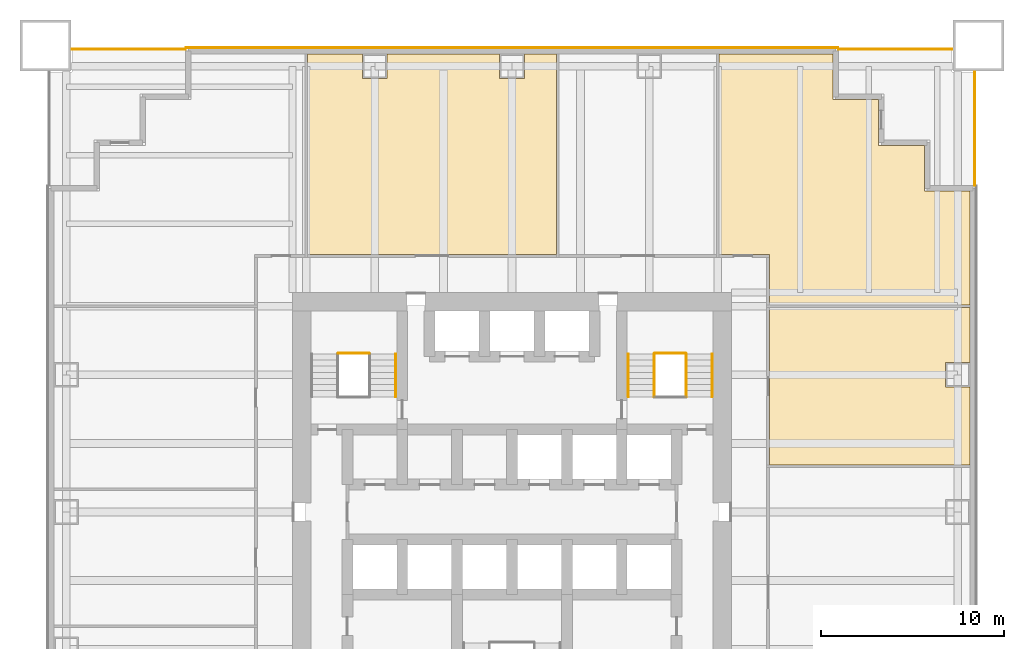
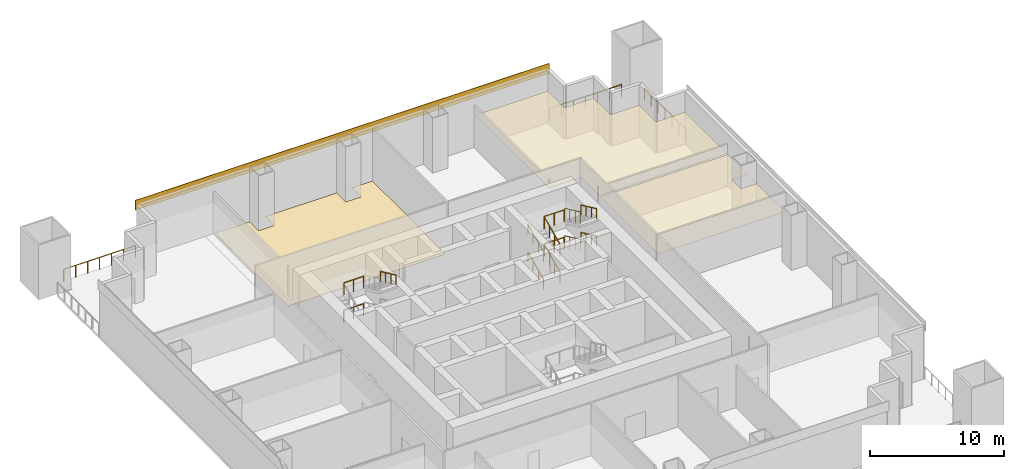
# One storey, part 6 of 6: 16 railings, 4 coverings.
"""IFC4 building model written with IfcOpenShell, lengths in metres."""

from ifc_helpers import new_model, si_unit, direction, frame, origin, origin_2d, place, context, subcontext, project, spatial, polyline, rectangle, circle, outline, extrude, material, layer, layer_set, type_object, element, save


model = new_model("IFC4")

# Units and contexts
model_context = context("Model", 3, precision=1e-05, world=origin(), true_north=direction((0.0, 1.0)))
body_context = subcontext(model_context, "Body", "Model", "MODEL_VIEW")
ifc_project = project(units=[si_unit("LENGTHUNIT", "METRE"), si_unit("AREAUNIT", "SQUARE_METRE"), si_unit("VOLUMEUNIT", "CUBIC_METRE"), si_unit("PLANEANGLEUNIT", "RADIAN"), si_unit("MASSUNIT", "GRAM", prefix="KILO")], contexts=[model_context])

# Site, building, storey
site_placement = place(None, origin())
site = spatial("IfcSite", under=ifc_project, at=site_placement, CompositionType="ELEMENT")
building_placement = place(site_placement, origin())
building = spatial("IfcBuilding", under=site, at=building_placement, Name="Tarangal Relay Tower", CompositionType="ELEMENT")
storey_placement = place(building_placement, frame((0.0, 0.0, 33.39990234375)))
storey = spatial("IfcBuildingStorey", under=building, at=storey_placement, Name="L06", CompositionType="ELEMENT", Elevation=33.39990234375)

# Coverings
ifc_material_1 = material(Name="Anti-static vinyl flooring", Category="plastic")
ifc_layer_1 = layer(ifc_material_1, 0.010009765625)
ifc_layer_set_1 = layer_set([ifc_layer_1], Name="Anti-static vinyl floor")
covering_type_1 = type_object("IfcCoveringType", Name="Anti-static vinyl floor", PredefinedType="FLOORING", material=ifc_layer_set_1)
covering_1_placement = place(storey_placement, origin())
element("IfcCovering", 1, at=covering_1_placement, inside=storey, type_object=covering_type_1, Name="Floor finish FL1 L06-02", PredefinedType="FLOORING", context=body_context, shape_type="SweptSolid", body=[
    extrude(outline(polyline([(2.425048828125, 25.050048828125), (-11.175048828125, 25.050048828125), (-11.175048828125, 14.074951171875), (2.425048828125, 14.074951171875), (2.425048828125, 25.050048828125)]), holes=[polyline([(-6.824951171875, 23.68994140625), (-6.824951171875, 25.0400390625), (-8.175048828125, 25.0400390625), (-8.175048828125, 23.68994140625), (-6.824951171875, 23.68994140625)]), polyline([(0.675048828125, 23.68994140625), (0.675048828125, 25.0400390625), (-0.675048828125, 25.0400390625), (-0.675048828125, 23.68994140625), (0.675048828125, 23.68994140625)])]), origin(), (0.0, 0.0, 1.0), 0.010009765625),
])
ifc_material_2 = material(Name="Black anodised aluminium cladding", Category="aluminium")
ifc_layer_2 = layer(ifc_material_2, 0.050048828125)
ifc_layer_set_2 = layer_set([ifc_layer_2], Name="Black metal spandrel band")
covering_type_2 = type_object("IfcCoveringType", Name="Black metal spandrel band", PredefinedType="CLADDING", material=ifc_layer_set_2)
covering_2_placement = place(storey_placement, frame((0.0, 25.375, 4.250244140625), z_axis=(0.0, 0.0, 1.0), x_axis=(1.0, 0.0, 0.0)))
element("IfcCovering", 2, at=covering_2_placement, inside=storey, type_object=covering_type_2, Name="Spandrel band SB1 N L06", PredefinedType="CLADDING", context=body_context, shape_type="SweptSolid", body=[
    extrude(rectangle(XDim=35.699951171875, YDim=0.050048828125, at=origin_2d()), origin(), (0.0, 0.0, 1.0), 0.89990234375),
])

# Railings
ifc_material_3 = material(Name="Steel guard, black finish", Category="steel")
railing_type_1 = type_object("IfcRailingType", Name="Stair guard 1100", PredefinedType="GUARDRAIL", material=ifc_material_3)
for number, where, name in (
    (3, (-9.5, 8.675048828125, 1.25), "Stair ST-A landing guard GR1 L06"),
    (4, (-9.5, 8.675048828125, 3.75), "Stair ST-A landing guard GR1 L06"),
):
    element("IfcRailing", number, at=place(storey_placement, frame(where)), inside=storey, type_object=railing_type_1, Name=name, PredefinedType="GUARDRAIL", context=body_context, shape_type="SweptSolid", body=[
        extrude(circle(Radius=0.02392578125, at=origin_2d()), frame((0.0, 0.0, 1.076171875), z_axis=(1.0, 0.0, 0.0), x_axis=(0.0, 1.0, 0.0)), (0.0, 0.0, 1.0), 1.699951171875),
        extrude(circle(Radius=0.02099609375, at=origin_2d()), origin(), (0.0, 0.0, 1.0), 1.052001953125),
        extrude(circle(Radius=0.02099609375, at=origin_2d()), frame((0.85009765625, 0.0, 0.0)), (0.0, 0.0, 1.0), 1.052001953125),
        extrude(circle(Radius=0.02099609375, at=origin_2d()), frame((1.699951171875, 0.0, 0.0)), (0.0, 0.0, 1.0), 1.052001953125),
    ])
railing_1_placement = place(storey_placement, frame((7.77001953125, 6.300048828125, 0.15625)))
element("IfcRailing", 5, at=railing_1_placement, inside=storey, type_object=railing_type_1, Name="Stair ST-B guard GR1 L06 flight 1", PredefinedType="GUARDRAIL", context=body_context, shape_type="SweptSolid", body=[
    extrude(circle(Radius=0.02392578125, at=origin_2d()), frame((0.0, 0.0, 1.076171875), z_axis=(0.0, 0.90626748934, 0.422704669676), x_axis=(-1.0, 0.0, 0.0)), (0.0, 0.0, 1.0), 2.58740234375),
    extrude(circle(Radius=0.02099609375, at=origin_2d()), origin(), (0.0, 0.0, 1.0), 1.052001953125),
    extrude(circle(Radius=0.02099609375, at=origin_2d()), frame((0.0, 0.78173828125, 0.364501953125)), (0.0, 0.0, 1.0), 1.052001953125),
    extrude(circle(Radius=0.02099609375, at=origin_2d()), frame((0.0, 1.563232421875, 0.729248046875)), (0.0, 0.0, 1.0), 1.052001953125),
    extrude(circle(Radius=0.02099609375, at=origin_2d()), frame((0.0, 2.344970703125, 1.09375)), (0.0, 0.0, 1.0), 1.052001953125),
])
railing_2_placement = place(storey_placement, frame((9.530029296875, 8.64501953125, 1.40625)))
element("IfcRailing", 6, at=railing_2_placement, inside=storey, type_object=railing_type_1, Name="Stair ST-B guard GR1 L06 flight 2", PredefinedType="GUARDRAIL", context=body_context, shape_type="SweptSolid", body=[
    extrude(circle(Radius=0.02392578125, at=origin_2d()), frame((0.0, 0.0, 1.076171875), z_axis=(0.0, -0.90626748934, 0.422704669676), x_axis=(1.0, 0.0, 0.0)), (0.0, 0.0, 1.0), 2.58740234375),
    extrude(circle(Radius=0.02099609375, at=origin_2d()), origin(), (0.0, 0.0, 1.0), 1.052001953125),
    extrude(circle(Radius=0.02099609375, at=origin_2d()), frame((0.0, -0.78173828125, 0.364501953125)), (0.0, 0.0, 1.0), 1.052001953125),
    extrude(circle(Radius=0.02099609375, at=origin_2d()), frame((0.0, -1.563232421875, 0.729248046875)), (0.0, 0.0, 1.0), 1.052001953125),
    extrude(circle(Radius=0.02099609375, at=origin_2d()), frame((0.0, -2.344970703125, 1.09375)), (0.0, 0.0, 1.0), 1.052001953125),
])
railing_3_placement = place(storey_placement, frame((7.77001953125, 6.300048828125, 2.65625)))
element("IfcRailing", 7, at=railing_3_placement, inside=storey, type_object=railing_type_1, Name="Stair ST-B guard GR1 L06 flight 3", PredefinedType="GUARDRAIL", context=body_context, shape_type="SweptSolid", body=[
    extrude(circle(Radius=0.02392578125, at=origin_2d()), frame((0.0, 0.0, 1.076171875), z_axis=(0.0, 0.90626748934, 0.422704669676), x_axis=(-1.0, 0.0, 0.0)), (0.0, 0.0, 1.0), 2.58740234375),
    extrude(circle(Radius=0.02099609375, at=origin_2d()), origin(), (0.0, 0.0, 1.0), 1.052001953125),
    extrude(circle(Radius=0.02099609375, at=origin_2d()), frame((0.0, 0.78173828125, 0.364501953125)), (0.0, 0.0, 1.0), 1.052001953125),
    extrude(circle(Radius=0.02099609375, at=origin_2d()), frame((0.0, 1.563232421875, 0.729248046875)), (0.0, 0.0, 1.0), 1.052001953125),
    extrude(circle(Radius=0.02099609375, at=origin_2d()), frame((0.0, 2.344970703125, 1.09375)), (0.0, 0.0, 1.0), 1.052001953125),
])
railing_4_placement = place(storey_placement, frame((9.530029296875, 8.64501953125, 3.90625)))
element("IfcRailing", 8, at=railing_4_placement, inside=storey, type_object=railing_type_1, Name="Stair ST-B guard GR1 L06 flight 4", PredefinedType="GUARDRAIL", context=body_context, shape_type="SweptSolid", body=[
    extrude(circle(Radius=0.02392578125, at=origin_2d()), frame((0.0, 0.0, 1.076171875), z_axis=(0.0, -0.90626748934, 0.422704669676), x_axis=(1.0, 0.0, 0.0)), (0.0, 0.0, 1.0), 2.58740234375),
    extrude(circle(Radius=0.02099609375, at=origin_2d()), origin(), (0.0, 0.0, 1.0), 1.052001953125),
    extrude(circle(Radius=0.02099609375, at=origin_2d()), frame((0.0, -0.78173828125, 0.364501953125)), (0.0, 0.0, 1.0), 1.052001953125),
    extrude(circle(Radius=0.02099609375, at=origin_2d()), frame((0.0, -1.563232421875, 0.729248046875)), (0.0, 0.0, 1.0), 1.052001953125),
    extrude(circle(Radius=0.02099609375, at=origin_2d()), frame((0.0, -2.344970703125, 1.09375)), (0.0, 0.0, 1.0), 1.052001953125),
])
for number, where, name in (
    (9, (7.800048828125, 8.675048828125, 1.25), "Stair ST-B landing guard GR1 L06"),
    (10, (7.800048828125, 8.675048828125, 3.75), "Stair ST-B landing guard GR1 L06"),
):
    element("IfcRailing", number, at=place(storey_placement, frame(where)), inside=storey, type_object=railing_type_1, Name=name, PredefinedType="GUARDRAIL", context=body_context, shape_type="SweptSolid", body=[
        extrude(circle(Radius=0.02392578125, at=origin_2d()), frame((0.0, 0.0, 1.076171875), z_axis=(1.0, 0.0, 0.0), x_axis=(0.0, 1.0, 0.0)), (0.0, 0.0, 1.0), 1.699951171875),
        extrude(circle(Radius=0.02099609375, at=origin_2d()), origin(), (0.0, 0.0, 1.0), 1.052001953125),
        extrude(circle(Radius=0.02099609375, at=origin_2d()), frame((0.85009765625, 0.0, 0.0)), (0.0, 0.0, 1.0), 1.052001953125),
        extrude(circle(Radius=0.02099609375, at=origin_2d()), frame((1.699951171875, 0.0, 0.0)), (0.0, 0.0, 1.0), 1.052001953125),
    ])
ifc_material_4 = material(Name="Steel handrail, black finish", Category="steel")
railing_type_2 = type_object("IfcRailingType", Name="Stair handrail 900", PredefinedType="HANDRAIL", material=ifc_material_4)
railing_5_placement = place(storey_placement, frame((-6.360107421875, 8.64501953125, 3.90625)))
element("IfcRailing", 11, at=railing_5_placement, inside=storey, type_object=railing_type_2, Name="Stair ST-A handrail HR1 L06 flight 4", PredefinedType="HANDRAIL", context=body_context, shape_type="SweptSolid", body=[
    extrude(circle(Radius=0.02392578125, at=origin_2d()), frame((0.0, 0.0, 0.8759765625), z_axis=(0.0, -0.90626748934, 0.422704669676), x_axis=(1.0, 0.0, 0.0)), (0.0, 0.0, 1.0), 2.58740234375),
    extrude(circle(Radius=0.02099609375, at=origin_2d()), origin(), (0.0, 0.0, 1.0), 0.851806640625),
    extrude(circle(Radius=0.02099609375, at=origin_2d()), frame((0.0, -0.78173828125, 0.364501953125)), (0.0, 0.0, 1.0), 0.851806640625),
    extrude(circle(Radius=0.02099609375, at=origin_2d()), frame((0.0, -1.563232421875, 0.729248046875)), (0.0, 0.0, 1.0), 0.851806640625),
    extrude(circle(Radius=0.02099609375, at=origin_2d()), frame((0.0, -2.344970703125, 1.09375)), (0.0, 0.0, 1.0), 0.851806640625),
])
railing_6_placement = place(storey_placement, frame((6.360107421875, 6.300048828125, 0.15625)))
element("IfcRailing", 12, at=railing_6_placement, inside=storey, type_object=railing_type_2, Name="Stair ST-B handrail HR1 L06 flight 1", PredefinedType="HANDRAIL", context=body_context, shape_type="SweptSolid", body=[
    extrude(circle(Radius=0.02392578125, at=origin_2d()), frame((0.0, 0.0, 0.8759765625), z_axis=(0.0, 0.90626748934, 0.422704669676), x_axis=(-1.0, 0.0, 0.0)), (0.0, 0.0, 1.0), 2.58740234375),
    extrude(circle(Radius=0.02099609375, at=origin_2d()), origin(), (0.0, 0.0, 1.0), 0.851806640625),
    extrude(circle(Radius=0.02099609375, at=origin_2d()), frame((0.0, 0.78173828125, 0.364501953125)), (0.0, 0.0, 1.0), 0.851806640625),
    extrude(circle(Radius=0.02099609375, at=origin_2d()), frame((0.0, 1.563232421875, 0.729248046875)), (0.0, 0.0, 1.0), 0.851806640625),
    extrude(circle(Radius=0.02099609375, at=origin_2d()), frame((0.0, 2.344970703125, 1.09375)), (0.0, 0.0, 1.0), 0.851806640625),
])
railing_7_placement = place(storey_placement, frame((10.93994140625, 8.64501953125, 1.40625)))
element("IfcRailing", 13, at=railing_7_placement, inside=storey, type_object=railing_type_2, Name="Stair ST-B handrail HR1 L06 flight 2", PredefinedType="HANDRAIL", context=body_context, shape_type="SweptSolid", body=[
    extrude(circle(Radius=0.02392578125, at=origin_2d()), frame((0.0, 0.0, 0.8759765625), z_axis=(0.0, -0.90626748934, 0.422704669676), x_axis=(1.0, 0.0, 0.0)), (0.0, 0.0, 1.0), 2.58740234375),
    extrude(circle(Radius=0.02099609375, at=origin_2d()), origin(), (0.0, 0.0, 1.0), 0.851806640625),
    extrude(circle(Radius=0.02099609375, at=origin_2d()), frame((0.0, -0.78173828125, 0.364501953125)), (0.0, 0.0, 1.0), 0.851806640625),
    extrude(circle(Radius=0.02099609375, at=origin_2d()), frame((0.0, -1.563232421875, 0.729248046875)), (0.0, 0.0, 1.0), 0.851806640625),
    extrude(circle(Radius=0.02099609375, at=origin_2d()), frame((0.0, -2.344970703125, 1.09375)), (0.0, 0.0, 1.0), 0.851806640625),
])
railing_8_placement = place(storey_placement, frame((6.360107421875, 6.300048828125, 2.65625)))
element("IfcRailing", 14, at=railing_8_placement, inside=storey, type_object=railing_type_2, Name="Stair ST-B handrail HR1 L06 flight 3", PredefinedType="HANDRAIL", context=body_context, shape_type="SweptSolid", body=[
    extrude(circle(Radius=0.02392578125, at=origin_2d()), frame((0.0, 0.0, 0.8759765625), z_axis=(0.0, 0.90626748934, 0.422704669676), x_axis=(-1.0, 0.0, 0.0)), (0.0, 0.0, 1.0), 2.58740234375),
    extrude(circle(Radius=0.02099609375, at=origin_2d()), origin(), (0.0, 0.0, 1.0), 0.851806640625),
    extrude(circle(Radius=0.02099609375, at=origin_2d()), frame((0.0, 0.78173828125, 0.364501953125)), (0.0, 0.0, 1.0), 0.851806640625),
    extrude(circle(Radius=0.02099609375, at=origin_2d()), frame((0.0, 1.563232421875, 0.729248046875)), (0.0, 0.0, 1.0), 0.851806640625),
    extrude(circle(Radius=0.02099609375, at=origin_2d()), frame((0.0, 2.344970703125, 1.09375)), (0.0, 0.0, 1.0), 0.851806640625),
])
railing_9_placement = place(storey_placement, frame((10.93994140625, 8.64501953125, 3.90625)))
element("IfcRailing", 15, at=railing_9_placement, inside=storey, type_object=railing_type_2, Name="Stair ST-B handrail HR1 L06 flight 4", PredefinedType="HANDRAIL", context=body_context, shape_type="SweptSolid", body=[
    extrude(circle(Radius=0.02392578125, at=origin_2d()), frame((0.0, 0.0, 0.8759765625), z_axis=(0.0, -0.90626748934, 0.422704669676), x_axis=(1.0, 0.0, 0.0)), (0.0, 0.0, 1.0), 2.58740234375),
    extrude(circle(Radius=0.02099609375, at=origin_2d()), origin(), (0.0, 0.0, 1.0), 0.851806640625),
    extrude(circle(Radius=0.02099609375, at=origin_2d()), frame((0.0, -0.78173828125, 0.364501953125)), (0.0, 0.0, 1.0), 0.851806640625),
    extrude(circle(Radius=0.02099609375, at=origin_2d()), frame((0.0, -1.563232421875, 0.729248046875)), (0.0, 0.0, 1.0), 0.851806640625),
    extrude(circle(Radius=0.02099609375, at=origin_2d()), frame((0.0, -2.344970703125, 1.09375)), (0.0, 0.0, 1.0), 0.851806640625),
])

# Coverings
ifc_material_5 = material(Name="Mineral fibre ceiling tiles", Category="gypsum")
ifc_layer_3 = layer(ifc_material_5, 0.02001953125)
ifc_layer_set_3 = layer_set([ifc_layer_3], Name="Suspended ceiling")
covering_type_3 = type_object("IfcCoveringType", Name="Suspended ceiling", PredefinedType="CEILING", material=ifc_layer_set_3)
covering_3_placement = place(storey_placement, frame((0.0, 0.0, 2.900146484375)))
element("IfcCovering", 16, at=covering_3_placement, inside=storey, type_object=covering_type_3, Name="Suspended ceiling CL1 L06-04", PredefinedType="CEILING", context=body_context, shape_type="SweptSolid", body=[
    extrude(outline(polyline([(25.050048828125, 2.574951171875), (25.050048828125, 11.175048828125), (14.074951171875, 11.175048828125), (14.074951171875, 2.574951171875), (25.050048828125, 2.574951171875)]), holes=[polyline([(25.0400390625, 8.175048828125), (23.68994140625, 8.175048828125), (23.68994140625, 6.824951171875), (25.0400390625, 6.824951171875), (25.0400390625, 8.175048828125)])]), origin(), (0.0, 0.0, 1.0), 0.02001953125),
])
covering_4_placement = place(storey_placement, frame((0.0, 0.0, 2.900146484375)))
element("IfcCovering", 17, at=covering_4_placement, inside=storey, type_object=covering_type_3, Name="Suspended ceiling CL1 L06-12", PredefinedType="CEILING", context=body_context, shape_type="SweptSolid", body=[
    extrude(outline(polyline([(17.550048828125, 25.050048828125), (11.324951171875, 25.050048828125), (11.324951171875, 14.074951171875), (14.074951171875, 14.074951171875), (14.074951171875, 11.324951171875), (25.050048828125, 11.324951171875), (25.050048828125, 17.550048828125), (22.550048828125, 17.550048828125), (22.550048828125, 20.050048828125), (20.050048828125, 20.050048828125), (20.050048828125, 22.550048828125), (17.550048828125, 22.550048828125), (17.550048828125, 25.050048828125)])), origin(), (0.0, 0.0, 1.0), 0.02001953125),
])

# Railings
ifc_material_6 = material(Name="Black steel guard with glass infill", Category="steel")
railing_type_3 = type_object("IfcRailingType", Name="Terrace guard 1100", PredefinedType="GUARDRAIL", material=ifc_material_6)
railing_10_placement = place(storey_placement, frame((17.85009765625, 25.300048828125, 0.0)))
element("IfcRailing", 18, at=railing_10_placement, inside=storey, type_object=railing_type_3, Name="Terrace guard GR2 NE L06", PredefinedType="GUARDRAIL", context=body_context, shape_type="SweptSolid", body=[
    extrude(circle(Radius=0.02392578125, at=origin_2d()), frame((0.0, 0.0, 1.076171875), z_axis=(1.0, 0.0, 0.0), x_axis=(0.0, 1.0, 0.0)), (0.0, 0.0, 1.0), 6.199951171875),
    extrude(circle(Radius=0.02099609375, at=origin_2d()), origin(), (0.0, 0.0, 1.0), 1.052001953125),
    extrude(circle(Radius=0.02099609375, at=origin_2d()), frame((1.033203125, 0.0, 0.0)), (0.0, 0.0, 1.0), 1.052001953125),
    extrude(circle(Radius=0.02099609375, at=origin_2d()), frame((2.066650390625, 0.0, 0.0)), (0.0, 0.0, 1.0), 1.052001953125),
    extrude(circle(Radius=0.02099609375, at=origin_2d()), frame((3.10009765625, 0.0, 0.0)), (0.0, 0.0, 1.0), 1.052001953125),
    extrude(circle(Radius=0.02099609375, at=origin_2d()), frame((4.13330078125, 0.0, 0.0)), (0.0, 0.0, 1.0), 1.052001953125),
    extrude(circle(Radius=0.02099609375, at=origin_2d()), frame((5.16650390625, 0.0, 0.0)), (0.0, 0.0, 1.0), 1.052001953125),
    extrude(circle(Radius=0.02099609375, at=origin_2d()), frame((6.199951171875, 0.0, 0.0)), (0.0, 0.0, 1.0), 1.052001953125),
])
railing_11_placement = place(storey_placement, frame((25.300048828125, 24.050048828125, 0.0)))
element("IfcRailing", 19, at=railing_11_placement, inside=storey, type_object=railing_type_3, Name="Terrace guard GR2 NE L06", PredefinedType="GUARDRAIL", context=body_context, shape_type="SweptSolid", body=[
    extrude(circle(Radius=0.02392578125, at=origin_2d()), frame((0.0, 0.0, 1.076171875), z_axis=(0.0, -1.0, 0.0), x_axis=(1.0, 0.0, 0.0)), (0.0, 0.0, 1.0), 6.199951171875),
    extrude(circle(Radius=0.02099609375, at=origin_2d()), origin(), (0.0, 0.0, 1.0), 1.052001953125),
    extrude(circle(Radius=0.02099609375, at=origin_2d()), frame((0.0, -1.033203125, 0.0)), (0.0, 0.0, 1.0), 1.052001953125),
    extrude(circle(Radius=0.02099609375, at=origin_2d()), frame((0.0, -2.066650390625, 0.0)), (0.0, 0.0, 1.0), 1.052001953125),
    extrude(circle(Radius=0.02099609375, at=origin_2d()), frame((0.0, -3.10009765625, 0.0)), (0.0, 0.0, 1.0), 1.052001953125),
    extrude(circle(Radius=0.02099609375, at=origin_2d()), frame((0.0, -4.13330078125, 0.0)), (0.0, 0.0, 1.0), 1.052001953125),
    extrude(circle(Radius=0.02099609375, at=origin_2d()), frame((0.0, -5.16650390625, 0.0)), (0.0, 0.0, 1.0), 1.052001953125),
    extrude(circle(Radius=0.02099609375, at=origin_2d()), frame((0.0, -6.199951171875, 0.0)), (0.0, 0.0, 1.0), 1.052001953125),
])
railing_12_placement = place(storey_placement, frame((-24.050048828125, 25.300048828125, 0.0)))
element("IfcRailing", 20, at=railing_12_placement, inside=storey, type_object=railing_type_3, Name="Terrace guard GR2 NW L06", PredefinedType="GUARDRAIL", context=body_context, shape_type="SweptSolid", body=[
    extrude(circle(Radius=0.02392578125, at=origin_2d()), frame((0.0, 0.0, 1.076171875), z_axis=(1.0, 0.0, 0.0), x_axis=(0.0, 1.0, 0.0)), (0.0, 0.0, 1.0), 6.199951171875),
    extrude(circle(Radius=0.02099609375, at=origin_2d()), origin(), (0.0, 0.0, 1.0), 1.052001953125),
    extrude(circle(Radius=0.02099609375, at=origin_2d()), frame((1.033203125, 0.0, 0.0)), (0.0, 0.0, 1.0), 1.052001953125),
    extrude(circle(Radius=0.02099609375, at=origin_2d()), frame((2.066650390625, 0.0, 0.0)), (0.0, 0.0, 1.0), 1.052001953125),
    extrude(circle(Radius=0.02099609375, at=origin_2d()), frame((3.10009765625, 0.0, 0.0)), (0.0, 0.0, 1.0), 1.052001953125),
    extrude(circle(Radius=0.02099609375, at=origin_2d()), frame((4.13330078125, 0.0, 0.0)), (0.0, 0.0, 1.0), 1.052001953125),
    extrude(circle(Radius=0.02099609375, at=origin_2d()), frame((5.16650390625, 0.0, 0.0)), (0.0, 0.0, 1.0), 1.052001953125),
    extrude(circle(Radius=0.02099609375, at=origin_2d()), frame((6.199951171875, 0.0, 0.0)), (0.0, 0.0, 1.0), 1.052001953125),
])

save(model, "model.ifc")
